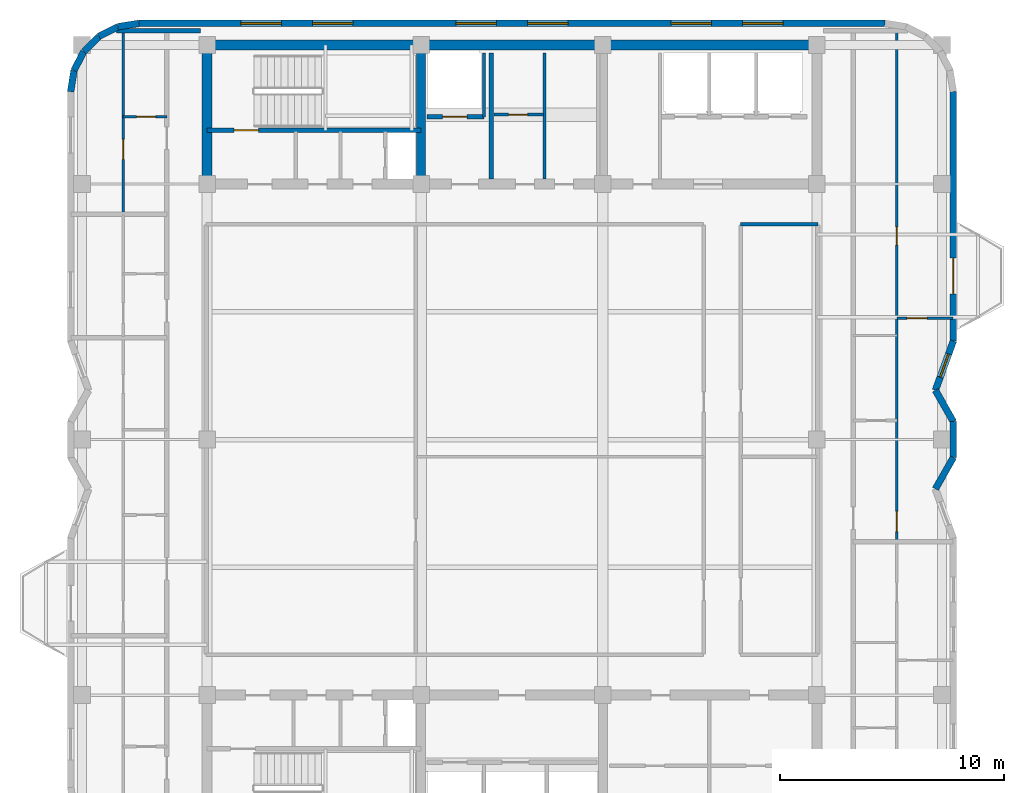
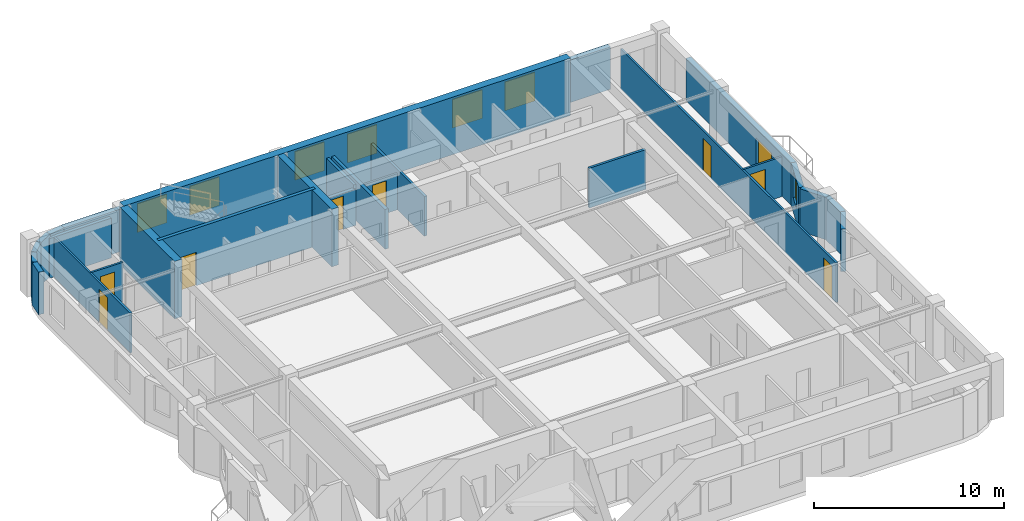
# One storey, part 6 of 9: 26 walls, 9 doors, 7 windows, 16 openings.
"""IFC4 building model written with IfcOpenShell, lengths in metres."""

from ifc_helpers import new_model, si_unit, direction, frame, frame_2d, origin, place, context, subcontext, project, spatial, rectangle, extrude, material, layer, layer_set, type_object, element, fill, save


model = new_model("IFC4")

# Units and contexts
model_context = context("Model", 3, precision=1e-05, world=origin(), true_north=direction((0.0, 1.0)))
body_context = subcontext(model_context, "Body", "Model", "MODEL_VIEW")
ifc_project = project(units=[si_unit("LENGTHUNIT", "METRE"), si_unit("AREAUNIT", "SQUARE_METRE"), si_unit("VOLUMEUNIT", "CUBIC_METRE"), si_unit("PLANEANGLEUNIT", "RADIAN"), si_unit("MASSUNIT", "GRAM", prefix="KILO")], contexts=[model_context])

# Site, building, storey
site_placement = place(None, origin())
site = spatial("IfcSite", under=ifc_project, at=site_placement, CompositionType="ELEMENT")
building_placement = place(site_placement, origin())
building = spatial("IfcBuilding", under=site, at=building_placement, Name="Svetorya Sky Lyceum", CompositionType="ELEMENT")
storey_placement = place(building_placement, frame((0.0, 0.0, 267.60009765625)))
storey = spatial("IfcBuildingStorey", under=building, at=storey_placement, Name="L67", CompositionType="ELEMENT", Elevation=267.60009765625)

# Walls
ifc_material_1 = material(Name="Concrete C40/50", Category="concrete")
ifc_layer_1 = layer(ifc_material_1, 0.39990234375)
ifc_layer_set_1 = layer_set([ifc_layer_1], Name="Concrete C40/50")
wall_type_1 = type_object("IfcWallType", Name="WL-CORE-400", PredefinedType="SHEAR", material=ifc_layer_set_1)
wall_1_placement = place(storey_placement, frame((35.14990234375, 39.824951171875, 0.0), z_axis=(0.0, 0.0, 1.0), x_axis=(0.0, 1.0, 0.0)))
element("IfcWall", 1, at=wall_1_placement, inside=storey, type_object=wall_type_1, Name="L67 NC Internal Shear Web WEB1", PredefinedType="SHEAR", context=body_context, shape_type="SweptSolid", body=[
    extrude(rectangle(XDim=5.75, YDim=0.39990234375, at=frame_2d((2.875, 0.0))), origin(), (0.0, 0.0, 1.0), 3.699951171875),
])
ifc_material_2 = material(Name="Concrete C50/60", Category="concrete")
ifc_layer_2 = layer(ifc_material_2, 0.449951171875)
ifc_layer_set_2 = layer_set([ifc_layer_2], Name="Concrete C50/60")
wall_type_2 = type_object("IfcWallType", Name="WL-CORE-450", PredefinedType="SHEAR", material=ifc_layer_set_2)
wall_2_placement = place(storey_placement, frame((25.60009765625, 45.800048828125, 0.0), z_axis=(0.0, 0.0, 1.0), x_axis=(1.0, 0.0, 0.0)))
element("IfcWall", 2, at=wall_2_placement, inside=storey, type_object=wall_type_2, Name="L67 NC Outer Core Shear Wall", PredefinedType="SHEAR", context=body_context, shape_type="SweptSolid", body=[
    extrude(rectangle(XDim=27.199951171875, YDim=0.449951171875, at=frame_2d((13.60009765625, 0.0))), origin(), (0.0, 0.0, 1.0), 3.699951171875),
])
wall_3_placement = place(storey_placement, frame((25.60009765625, 39.824951171875, 0.0), z_axis=(0.0, 0.0, 1.0), x_axis=(0.0, 1.0, 0.0)))
element("IfcWall", 3, at=wall_3_placement, inside=storey, type_object=wall_type_2, Name="L67 NC West Core Shear Wall", PredefinedType="SHEAR", context=body_context, shape_type="SweptSolid", body=[
    extrude(rectangle(XDim=5.75, YDim=0.449951171875, at=frame_2d((2.875, 0.0))), origin(), (0.0, 0.0, 1.0), 3.699951171875),
])
ifc_material_3 = material(Name="Putilovo limestone rainscreen on autoclaved cellular masonry", Category="masonry")
ifc_layer_3 = layer(ifc_material_3, 0.300048828125)
ifc_layer_set_3 = layer_set([ifc_layer_3], Name="Putilovo limestone rainscreen on autoclaved cellular masonry")
wall_type_3 = type_object("IfcWallType", Name="WL-EXT-300", PredefinedType="SOLIDWALL", material=ifc_layer_set_3)
wall_4_placement = place(storey_placement, frame((58.090087890625, 26.0, 0.0), z_axis=(0.0, 0.0, 1.0), x_axis=(0.496073707015, 0.868280413927, 0.0)))
element("IfcWall", 4, at=wall_4_placement, inside=storey, type_object=wall_type_3, Name="L67 Limestone Exterior Wall 14M", PredefinedType="SOLIDWALL", context=body_context, shape_type="SweptSolid", body=[
    extrude(rectangle(XDim=1.6123046875, YDim=0.300048828125, at=frame_2d((0.80615234375, 0.0))), origin(), (0.0, 0.0, 1.0), 2.72998046875),
])
wall_5_placement = place(storey_placement, frame((58.889892578125, 27.39990234375, 0.0), z_axis=(0.0, 0.0, 1.0), x_axis=(0.0, 1.0, 0.0)))
element("IfcWall", 5, at=wall_5_placement, inside=storey, type_object=wall_type_3, Name="L67 Limestone Exterior Wall 15M", PredefinedType="SOLIDWALL", context=body_context, shape_type="SweptSolid", body=[
    extrude(rectangle(XDim=1.60009765625, YDim=0.300048828125, at=frame_2d((0.800048828125, 0.0))), origin(), (0.0, 0.0, 1.0), 2.72998046875),
])
wall_6_placement = place(storey_placement, frame((58.889892578125, 29.0, 0.0), z_axis=(0.0, 0.0, 1.0), x_axis=(-0.496073707015, 0.868280413927, 0.0)))
element("IfcWall", 6, at=wall_6_placement, inside=storey, type_object=wall_type_3, Name="L67 Limestone Exterior Wall 16M", PredefinedType="SOLIDWALL", context=body_context, shape_type="SweptSolid", body=[
    extrude(rectangle(XDim=1.6123046875, YDim=0.300048828125, at=frame_2d((0.80615234375, 0.0))), origin(), (0.0, 0.0, 1.0), 2.72998046875),
])

# Wall, opening, window
wall_7_placement = place(storey_placement, frame((58.090087890625, 30.39990234375, 0.0), z_axis=(0.0, 0.0, 1.0), x_axis=(0.341642580708, 0.939829956453, 0.0)))
wall_7 = element("IfcWall", 7, at=wall_7_placement, inside=storey, type_object=wall_type_3, Name="L67 Limestone Exterior Wall 17M", PredefinedType="SOLIDWALL", context=body_context, shape_type="SweptSolid", body=[
    extrude(rectangle(XDim=2.341064453125, YDim=0.300048828125, at=frame_2d((1.17041015625, 0.0))), origin(), (0.0, 0.0, 1.0), 2.72998046875),
])
opening_1_placement = place(wall_7_placement, frame((0.62060546875, 0.0, 0.919921875)))
opening_1 = element("IfcOpeningElement", 8, at=opening_1_placement, cuts=wall_7, Name="Opening W-R3", PredefinedType="OPENING", context=body_context, shape_type="SweptSolid", body=[
    extrude(rectangle(XDim=1.10009765625, YDim=1.64990234375, at=frame_2d((0.550048828125, 0.824951171875))), frame((0.0, 0.159912109375, 0.0), z_axis=(0.0, -1.0, 0.0), x_axis=(1.0, 0.0, 0.0)), (0.0, 0.0, 1.0), 0.320068359375),
])
ifc_material_4 = material(Name="Thermally broken aluminium frame with triple low-E glazing", Category="aluminium")
window_type_1 = type_object("IfcWindowType", Name="WN-RES-110", PartitioningType="SINGLE_PANEL", PredefinedType="WINDOW", material=ifc_material_4)
window_1_placement = place(opening_1_placement, origin())
window_1 = element("IfcWindow", 9, at=window_1_placement, inside=storey, type_object=window_type_1, Name="L67 Facade Window W-R3.17M.1", OverallHeight=1.64990234375, OverallWidth=1.10009765625, PartitioningType="SINGLE_PANEL", PredefinedType="WINDOW", context=body_context, shape_type="SweptSolid", body=[
    extrude(rectangle(XDim=1.10009765625, YDim=1.64990234375, at=frame_2d((0.550048828125, 0.824951171875))), frame((0.0, 0.030029296875, 0.0), z_axis=(0.0, -1.0, 0.0), x_axis=(1.0, 0.0, 0.0)), (0.0, 0.0, 1.0), 0.06005859375),
])
fill(opening_1, window_1)

# Wall, opening, door
wall_8_placement = place(storey_placement, frame((58.889892578125, 32.60009765625, 0.0), z_axis=(0.0, 0.0, 1.0), x_axis=(0.0, 1.0, 0.0)))
wall_8 = element("IfcWall", 10, at=wall_8_placement, inside=storey, type_object=wall_type_3, Name="L67 Limestone Exterior Wall 18M", PredefinedType="SOLIDWALL", context=body_context, shape_type="SweptSolid", body=[
    extrude(rectangle(XDim=11.119873046875, YDim=0.300048828125, at=frame_2d((5.56005859375, 0.0))), origin(), (0.0, 0.0, 1.0), 2.72998046875),
])
opening_2_placement = place(wall_8_placement, frame((2.10009765625, 0.0, 0.0)))
opening_2 = element("IfcOpeningElement", 11, at=opening_2_placement, cuts=wall_8, Name="Opening D-BL1", PredefinedType="OPENING", context=body_context, shape_type="SweptSolid", body=[
    extrude(rectangle(XDim=1.60009765625, YDim=2.10009765625, at=frame_2d((0.800048828125, 1.050048828125))), frame((0.0, 0.159912109375, 0.0), z_axis=(0.0, -1.0, 0.0), x_axis=(1.0, 0.0, 0.0)), (0.0, 0.0, 1.0), 0.320068359375),
])
ifc_material_5 = material(Name="Insulated glazed aluminium balcony door", Category="aluminium")
door_type_1 = type_object("IfcDoorType", Name="DR-BAL-1600", OperationType="DOUBLE_DOOR_SINGLE_SWING", PredefinedType="DOOR", material=ifc_material_5)
door_1_placement = place(opening_2_placement, origin())
door_1 = element("IfcDoor", 12, at=door_1_placement, inside=storey, type_object=door_type_1, Name="L67 Balcony BAL-E1 Door", OperationType="DOUBLE_DOOR_SINGLE_SWING", OverallHeight=2.10009765625, OverallWidth=1.60009765625, PredefinedType="DOOR", context=body_context, shape_type="SweptSolid", body=[
    extrude(rectangle(XDim=1.60009765625, YDim=2.10009765625, at=frame_2d((0.800048828125, 1.050048828125))), frame((0.0, 0.02490234375, 0.0), z_axis=(0.0, -1.0, 0.0), x_axis=(1.0, 0.0, 0.0)), (0.0, 0.0, 1.0), 0.050048828125),
])
fill(opening_2, door_1)

# Wall, openings, windows
wall_9_placement = place(storey_placement, frame((55.840087890625, 46.77001953125, 0.0), z_axis=(0.0, 0.0, 1.0), x_axis=(-1.0, 0.0, 0.0)))
wall_9 = element("IfcWall", 13, at=wall_9_placement, inside=storey, type_object=wall_type_3, Name="L67 Limestone Exterior Wall 24M", PredefinedType="SOLIDWALL", context=body_context, shape_type="SweptSolid", body=[
    extrude(rectangle(XDim=33.280029296875, YDim=0.300048828125, at=frame_2d((16.64013671875, 0.0))), origin(), (0.0, 0.0, 1.0), 2.72998046875),
])
opening_3_placement = place(wall_9_placement, frame((4.547119140625, 0.0, 0.760009765625)))
opening_3 = element("IfcOpeningElement", 14, at=opening_3_placement, cuts=wall_9, Name="Opening W-R1", PredefinedType="OPENING", context=body_context, shape_type="SweptSolid", body=[
    extrude(rectangle(XDim=1.800048828125, YDim=1.85009765625, at=frame_2d((0.89990234375, 0.925048828125))), frame((0.0, 0.159912109375, 0.0), z_axis=(0.0, -1.0, 0.0), x_axis=(1.0, 0.0, 0.0)), (0.0, 0.0, 1.0), 0.320068359375),
])
opening_4_placement = place(wall_9_placement, frame((7.7451171875, 0.0, 0.760009765625)))
opening_4 = element("IfcOpeningElement", 15, at=opening_4_placement, cuts=wall_9, Name="Opening W-R1", PredefinedType="OPENING", context=body_context, shape_type="SweptSolid", body=[
    extrude(rectangle(XDim=1.800048828125, YDim=1.85009765625, at=frame_2d((0.89990234375, 0.925048828125))), frame((0.0, 0.159912109375, 0.0), z_axis=(0.0, -1.0, 0.0), x_axis=(1.0, 0.0, 0.0)), (0.0, 0.0, 1.0), 0.320068359375),
])
opening_5_placement = place(wall_9_placement, frame((14.14111328125, 0.0, 0.760009765625)))
opening_5 = element("IfcOpeningElement", 16, at=opening_5_placement, cuts=wall_9, Name="Opening W-R1", PredefinedType="OPENING", context=body_context, shape_type="SweptSolid", body=[
    extrude(rectangle(XDim=1.800048828125, YDim=1.85009765625, at=frame_2d((0.89990234375, 0.925048828125))), frame((0.0, 0.159912109375, 0.0), z_axis=(0.0, -1.0, 0.0), x_axis=(1.0, 0.0, 0.0)), (0.0, 0.0, 1.0), 0.320068359375),
])
opening_6_placement = place(wall_9_placement, frame((17.339111328125, 0.0, 0.760009765625)))
opening_6 = element("IfcOpeningElement", 17, at=opening_6_placement, cuts=wall_9, Name="Opening W-R1", PredefinedType="OPENING", context=body_context, shape_type="SweptSolid", body=[
    extrude(rectangle(XDim=1.800048828125, YDim=1.85009765625, at=frame_2d((0.89990234375, 0.925048828125))), frame((0.0, 0.159912109375, 0.0), z_axis=(0.0, -1.0, 0.0), x_axis=(1.0, 0.0, 0.0)), (0.0, 0.0, 1.0), 0.320068359375),
])
opening_7_placement = place(wall_9_placement, frame((23.735107421875, 0.0, 0.760009765625)))
opening_7 = element("IfcOpeningElement", 18, at=opening_7_placement, cuts=wall_9, Name="Opening W-R1", PredefinedType="OPENING", context=body_context, shape_type="SweptSolid", body=[
    extrude(rectangle(XDim=1.800048828125, YDim=1.85009765625, at=frame_2d((0.89990234375, 0.925048828125))), frame((0.0, 0.159912109375, 0.0), z_axis=(0.0, -1.0, 0.0), x_axis=(1.0, 0.0, 0.0)), (0.0, 0.0, 1.0), 0.320068359375),
])
opening_8_placement = place(wall_9_placement, frame((26.93310546875, 0.0, 0.760009765625)))
opening_8 = element("IfcOpeningElement", 19, at=opening_8_placement, cuts=wall_9, Name="Opening W-R1", PredefinedType="OPENING", context=body_context, shape_type="SweptSolid", body=[
    extrude(rectangle(XDim=1.800048828125, YDim=1.85009765625, at=frame_2d((0.89990234375, 0.925048828125))), frame((0.0, 0.159912109375, 0.0), z_axis=(0.0, -1.0, 0.0), x_axis=(1.0, 0.0, 0.0)), (0.0, 0.0, 1.0), 0.320068359375),
])
window_type_2 = type_object("IfcWindowType", Name="WN-RES-180", PartitioningType="DOUBLE_PANEL_VERTICAL", PredefinedType="WINDOW", material=ifc_material_4)
window_2_placement = place(opening_3_placement, origin())
window_2 = element("IfcWindow", 20, at=window_2_placement, inside=storey, type_object=window_type_2, Name="L67 Facade Window W-R1.24M.1", OverallHeight=1.85009765625, OverallWidth=1.800048828125, PartitioningType="SINGLE_PANEL", PredefinedType="WINDOW", context=body_context, shape_type="SweptSolid", body=[
    extrude(rectangle(XDim=1.800048828125, YDim=1.85009765625, at=frame_2d((0.89990234375, 0.925048828125))), frame((0.0, 0.030029296875, 0.0), z_axis=(0.0, -1.0, 0.0), x_axis=(1.0, 0.0, 0.0)), (0.0, 0.0, 1.0), 0.06005859375),
])
fill(opening_3, window_2)
window_3_placement = place(opening_4_placement, origin())
window_3 = element("IfcWindow", 21, at=window_3_placement, inside=storey, type_object=window_type_2, Name="L67 Facade Window W-R1.24M.2", OverallHeight=1.85009765625, OverallWidth=1.800048828125, PartitioningType="SINGLE_PANEL", PredefinedType="WINDOW", context=body_context, shape_type="SweptSolid", body=[
    extrude(rectangle(XDim=1.800048828125, YDim=1.85009765625, at=frame_2d((0.89990234375, 0.925048828125))), frame((0.0, 0.030029296875, 0.0), z_axis=(0.0, -1.0, 0.0), x_axis=(1.0, 0.0, 0.0)), (0.0, 0.0, 1.0), 0.06005859375),
])
fill(opening_4, window_3)
window_4_placement = place(opening_5_placement, origin())
window_4 = element("IfcWindow", 22, at=window_4_placement, inside=storey, type_object=window_type_2, Name="L67 Facade Window W-R1.24M.3", OverallHeight=1.85009765625, OverallWidth=1.800048828125, PartitioningType="SINGLE_PANEL", PredefinedType="WINDOW", context=body_context, shape_type="SweptSolid", body=[
    extrude(rectangle(XDim=1.800048828125, YDim=1.85009765625, at=frame_2d((0.89990234375, 0.925048828125))), frame((0.0, 0.030029296875, 0.0), z_axis=(0.0, -1.0, 0.0), x_axis=(1.0, 0.0, 0.0)), (0.0, 0.0, 1.0), 0.06005859375),
])
fill(opening_5, window_4)
window_5_placement = place(opening_6_placement, origin())
window_5 = element("IfcWindow", 23, at=window_5_placement, inside=storey, type_object=window_type_2, Name="L67 Facade Window W-R1.24M.4", OverallHeight=1.85009765625, OverallWidth=1.800048828125, PartitioningType="SINGLE_PANEL", PredefinedType="WINDOW", context=body_context, shape_type="SweptSolid", body=[
    extrude(rectangle(XDim=1.800048828125, YDim=1.85009765625, at=frame_2d((0.89990234375, 0.925048828125))), frame((0.0, 0.030029296875, 0.0), z_axis=(0.0, -1.0, 0.0), x_axis=(1.0, 0.0, 0.0)), (0.0, 0.0, 1.0), 0.06005859375),
])
fill(opening_6, window_5)
window_6_placement = place(opening_7_placement, origin())
window_6 = element("IfcWindow", 24, at=window_6_placement, inside=storey, type_object=window_type_2, Name="L67 Facade Window W-R1.24M.5", OverallHeight=1.85009765625, OverallWidth=1.800048828125, PartitioningType="SINGLE_PANEL", PredefinedType="WINDOW", context=body_context, shape_type="SweptSolid", body=[
    extrude(rectangle(XDim=1.800048828125, YDim=1.85009765625, at=frame_2d((0.89990234375, 0.925048828125))), frame((0.0, 0.030029296875, 0.0), z_axis=(0.0, -1.0, 0.0), x_axis=(1.0, 0.0, 0.0)), (0.0, 0.0, 1.0), 0.06005859375),
])
fill(opening_7, window_6)
window_7_placement = place(opening_8_placement, origin())
window_7 = element("IfcWindow", 25, at=window_7_placement, inside=storey, type_object=window_type_2, Name="L67 Facade Window W-R1.24M.6", OverallHeight=1.85009765625, OverallWidth=1.800048828125, PartitioningType="SINGLE_PANEL", PredefinedType="WINDOW", context=body_context, shape_type="SweptSolid", body=[
    extrude(rectangle(XDim=1.800048828125, YDim=1.85009765625, at=frame_2d((0.89990234375, 0.925048828125))), frame((0.0, 0.030029296875, 0.0), z_axis=(0.0, -1.0, 0.0), x_axis=(1.0, 0.0, 0.0)), (0.0, 0.0, 1.0), 0.06005859375),
])
fill(opening_8, window_7)

# Walls
wall_10_placement = place(storey_placement, frame((22.56005859375, 46.77001953125, 0.0), z_axis=(0.0, 0.0, 1.0), x_axis=(-0.987669453596, -0.156553666304, 0.0)))
element("IfcWall", 26, at=wall_10_placement, inside=storey, type_object=wall_type_3, Name="L67 Limestone Exterior Wall 25M", PredefinedType="SOLIDWALL", context=body_context, shape_type="SweptSolid", body=[
    extrude(rectangle(XDim=0.954345703125, YDim=0.300048828125, at=frame_2d((0.47705078125, 0.0))), origin(), (0.0, 0.0, 1.0), 2.72998046875),
])
wall_11_placement = place(storey_placement, frame((21.617431640625, 46.62060546875, 0.0), z_axis=(0.0, 0.0, 1.0), x_axis=(-0.891023873617, -0.45395644796, 0.0)))
element("IfcWall", 27, at=wall_11_placement, inside=storey, type_object=wall_type_3, Name="L67 Limestone Exterior Wall 26M", PredefinedType="SOLIDWALL", context=body_context, shape_type="SweptSolid", body=[
    extrude(rectangle(XDim=0.9541015625, YDim=0.300048828125, at=frame_2d((0.47705078125, 0.0))), origin(), (0.0, 0.0, 1.0), 2.72998046875),
])
wall_12_placement = place(storey_placement, frame((20.767333984375, 46.1875, 0.0), z_axis=(0.0, 0.0, 1.0), x_axis=(-0.707106781187, -0.707106781187, 0.0)))
element("IfcWall", 28, at=wall_12_placement, inside=storey, type_object=wall_type_3, Name="L67 Limestone Exterior Wall 27M", PredefinedType="SOLIDWALL", context=body_context, shape_type="SweptSolid", body=[
    extrude(rectangle(XDim=0.954345703125, YDim=0.300048828125, at=frame_2d((0.47705078125, 0.0))), origin(), (0.0, 0.0, 1.0), 2.72998046875),
])
wall_13_placement = place(storey_placement, frame((20.092529296875, 45.5126953125, 0.0), z_axis=(0.0, 0.0, 1.0), x_axis=(-0.454159573051, -0.890920356825, 0.0)))
element("IfcWall", 29, at=wall_13_placement, inside=storey, type_object=wall_type_3, Name="L67 Limestone Exterior Wall 28M", PredefinedType="SOLIDWALL", context=body_context, shape_type="SweptSolid", body=[
    extrude(rectangle(XDim=0.9541015625, YDim=0.300048828125, at=frame_2d((0.47705078125, 0.0))), origin(), (0.0, 0.0, 1.0), 2.72998046875),
])
wall_14_placement = place(storey_placement, frame((19.6591796875, 44.66259765625, 0.0), z_axis=(0.0, 0.0, 1.0), x_axis=(-0.156304114255, -0.987708977314, 0.0)))
element("IfcWall", 30, at=wall_14_placement, inside=storey, type_object=wall_type_3, Name="L67 Limestone Exterior Wall 29M", PredefinedType="SOLIDWALL", context=body_context, shape_type="SweptSolid", body=[
    extrude(rectangle(XDim=0.954345703125, YDim=0.300048828125, at=frame_2d((0.47705078125, 0.0))), origin(), (0.0, 0.0, 1.0), 2.72998046875),
])

# Wall, opening, door
ifc_material_6 = material(Name="Twin-stud galvanized framing with double fireboard", Category="gypsum")
ifc_layer_4 = layer(ifc_material_6, 0.1201171875)
ifc_layer_set_4 = layer_set([ifc_layer_4], Name="Twin-stud galvanized framing with double fireboard")
wall_type_4 = type_object("IfcWallType", Name="WL-PART-120", PredefinedType="PARTITIONING", material=ifc_layer_set_4)
wall_15_placement = place(storey_placement, frame((38.39990234375, 42.699951171875, 0.0), z_axis=(0.0, 0.0, 1.0), x_axis=(1.0, 0.0, 0.0)))
wall_15 = element("IfcWall", 31, at=wall_15_placement, inside=storey, type_object=wall_type_4, Name="L67 Interior Partition NC-FPM-H", PredefinedType="PARTITIONING", context=body_context, shape_type="SweptSolid", body=[
    extrude(rectangle(XDim=2.2001953125, YDim=0.1201171875, at=frame_2d((1.10009765625, 0.0))), origin(), (0.0, 0.0, 1.0), 2.329833984375),
])
opening_9_placement = place(wall_15_placement, frame((0.64990234375, 0.0, 0.0)))
opening_9 = element("IfcOpeningElement", 32, at=opening_9_placement, cuts=wall_15, Name="Opening D-CWC1", PredefinedType="OPENING", context=body_context, shape_type="SweptSolid", body=[
    extrude(rectangle(XDim=0.85009765625, YDim=2.10009765625, at=frame_2d((0.425048828125, 1.050048828125))), frame((0.0, 0.070068359375, 0.0), z_axis=(0.0, -1.0, 0.0), x_axis=(1.0, 0.0, 0.0)), (0.0, 0.0, 1.0), 0.14013671875),
])
ifc_material_7 = material(Name="Fire-rated galvanized steel core service closet door", Category="steel")
door_type_2 = type_object("IfcDoorType", Name="DR-CWET-850", OperationType="SINGLE_SWING_LEFT", PredefinedType="DOOR", material=ifc_material_7)
door_2_placement = place(opening_9_placement, origin())
door_2 = element("IfcDoor", 33, at=door_2_placement, inside=storey, type_object=door_type_2, Name="L67 Rear IT Closet Door", OperationType="SINGLE_SWING_LEFT", OverallHeight=2.10009765625, OverallWidth=0.85009765625, PredefinedType="DOOR", context=body_context, shape_type="SweptSolid", body=[
    extrude(rectangle(XDim=0.85009765625, YDim=2.10009765625, at=frame_2d((0.425048828125, 1.050048828125))), frame((0.0, 0.02490234375, 0.0), z_axis=(0.0, -1.0, 0.0), x_axis=(1.0, 0.0, 0.0)), (0.0, 0.0, 1.0), 0.050048828125),
])
fill(opening_9, door_2)

wall_16_placement = place(storey_placement, frame((21.85009765625, 42.60009765625, 0.0), z_axis=(0.0, 0.0, 1.0), x_axis=(1.0, 0.0, 0.0)))
wall_16 = element("IfcWall", 34, at=wall_16_placement, inside=storey, type_object=wall_type_4, Name="L67 Interior Partition W4-WH1", PredefinedType="PARTITIONING", context=body_context, shape_type="SweptSolid", body=[
    extrude(rectangle(XDim=1.949951171875, YDim=0.1201171875, at=frame_2d((0.97509765625, 0.0))), origin(), (0.0, 0.0, 1.0), 2.559814453125),
])
opening_10_placement = place(wall_16_placement, frame((0.60009765625, 0.0, 0.0)))
opening_10 = element("IfcOpeningElement", 35, at=opening_10_placement, cuts=wall_16, Name="Opening D-BT1", PredefinedType="OPENING", context=body_context, shape_type="SweptSolid", body=[
    extrude(rectangle(XDim=0.85009765625, YDim=2.10009765625, at=frame_2d((0.425048828125, 1.050048828125))), frame((0.0, 0.070068359375, 0.0), z_axis=(0.0, -1.0, 0.0), x_axis=(1.0, 0.0, 0.0)), (0.0, 0.0, 1.0), 0.14013671875),
])
ifc_material_8 = material(Name="Moisture-resistant laminate bathroom door")
door_type_3 = type_object("IfcDoorType", Name="DR-WET-850", OperationType="SINGLE_SWING_LEFT", PredefinedType="DOOR", material=ifc_material_8)
door_3_placement = place(opening_10_placement, origin())
door_3 = element("IfcDoor", 36, at=door_3_placement, inside=storey, type_object=door_type_3, Name="Apartment W4 Bathroom Door", OperationType="SINGLE_SWING_RIGHT", OverallHeight=2.10009765625, OverallWidth=0.85009765625, PredefinedType="DOOR", context=body_context, shape_type="SweptSolid", body=[
    extrude(rectangle(XDim=0.85009765625, YDim=2.10009765625, at=frame_2d((0.425048828125, 1.050048828125))), frame((0.0, 0.02490234375, 0.0), z_axis=(0.0, -1.0, 0.0), x_axis=(1.0, 0.0, 0.0)), (0.0, 0.0, 1.0), 0.050048828125),
])
fill(opening_10, door_3)

wall_17_placement = place(storey_placement, frame((21.85009765625, 38.2900390625, 0.0), z_axis=(0.0, 0.0, 1.0), x_axis=(0.0, 1.0, 0.0)))
wall_17 = element("IfcWall", 37, at=wall_17_placement, inside=storey, type_object=wall_type_4, Name="L67 Interior Partition W4-WV", PredefinedType="PARTITIONING", context=body_context, shape_type="SweptSolid", body=[
    extrude(rectangle(XDim=8.119873046875, YDim=0.1201171875, at=frame_2d((4.06005859375, 0.0))), origin(), (0.0, 0.0, 1.0), 2.559814453125),
])
opening_11_placement = place(wall_17_placement, frame((2.409912109375, 0.0, 0.0)))
opening_11 = element("IfcOpeningElement", 38, at=opening_11_placement, cuts=wall_17, Name="Opening D-RM1", PredefinedType="OPENING", context=body_context, shape_type="SweptSolid", body=[
    extrude(rectangle(XDim=0.89990234375, YDim=2.10009765625, at=frame_2d((0.449951171875, 1.050048828125))), frame((0.0, 0.070068359375, 0.0), z_axis=(0.0, -1.0, 0.0), x_axis=(1.0, 0.0, 0.0)), (0.0, 0.0, 1.0), 0.14013671875),
])
ifc_material_9 = material(Name="Lacquered birch veneer internal door")
door_type_4 = type_object("IfcDoorType", Name="DR-INT-900", OperationType="SINGLE_SWING_LEFT", PredefinedType="DOOR", material=ifc_material_9)
door_4_placement = place(opening_11_placement, origin())
door_4 = element("IfcDoor", 39, at=door_4_placement, inside=storey, type_object=door_type_4, Name="Apartment W4 Living Door", OperationType="SINGLE_SWING_LEFT", OverallHeight=2.10009765625, OverallWidth=0.89990234375, PredefinedType="DOOR", context=body_context, shape_type="SweptSolid", body=[
    extrude(rectangle(XDim=0.89990234375, YDim=2.10009765625, at=frame_2d((0.449951171875, 1.050048828125))), frame((0.0, 0.02490234375, 0.0), z_axis=(0.0, -1.0, 0.0), x_axis=(1.0, 0.0, 0.0)), (0.0, 0.0, 1.0), 0.050048828125),
])
fill(opening_11, door_4)

wall_18_placement = place(storey_placement, frame((56.3701171875, 33.6201171875, 0.0), z_axis=(0.0, 0.0, 1.0), x_axis=(1.0, 0.0, 0.0)))
wall_18 = element("IfcWall", 40, at=wall_18_placement, inside=storey, type_object=wall_type_4, Name="L67 Interior Partition E2-WL1", PredefinedType="PARTITIONING", context=body_context, shape_type="SweptSolid", body=[
    extrude(rectangle(XDim=2.5, YDim=0.1201171875, at=frame_2d((1.25, 0.0))), origin(), (0.0, 0.0, 1.0), 2.559814453125),
])
opening_12_placement = place(wall_18_placement, frame((0.449951171875, 0.0, 0.0)))
opening_12 = element("IfcOpeningElement", 41, at=opening_12_placement, cuts=wall_18, Name="Opening D-RM1", PredefinedType="OPENING", context=body_context, shape_type="SweptSolid", body=[
    extrude(rectangle(XDim=0.89990234375, YDim=2.10009765625, at=frame_2d((0.449951171875, 1.050048828125))), frame((0.0, 0.070068359375, 0.0), z_axis=(0.0, -1.0, 0.0), x_axis=(1.0, 0.0, 0.0)), (0.0, 0.0, 1.0), 0.14013671875),
])
door_5_placement = place(opening_12_placement, origin())
door_5 = element("IfcDoor", 42, at=door_5_placement, inside=storey, type_object=door_type_4, Name="Apartment E2 Bedroom 1 Door", OperationType="SINGLE_SWING_LEFT", OverallHeight=2.10009765625, OverallWidth=0.89990234375, PredefinedType="DOOR", context=body_context, shape_type="SweptSolid", body=[
    extrude(rectangle(XDim=0.89990234375, YDim=2.10009765625, at=frame_2d((0.449951171875, 1.050048828125))), frame((0.0, 0.02490234375, 0.0), z_axis=(0.0, -1.0, 0.0), x_axis=(1.0, 0.0, 0.0)), (0.0, 0.0, 1.0), 0.050048828125),
])
fill(opening_12, door_5)

# Wall, openings, doors
wall_19_placement = place(storey_placement, frame((56.3701171875, 23.68994140625, 0.0), z_axis=(0.0, 0.0, 1.0), x_axis=(0.0, 1.0, 0.0)))
wall_19 = element("IfcWall", 43, at=wall_19_placement, inside=storey, type_object=wall_type_4, Name="L67 Interior Partition E2-WV", PredefinedType="PARTITIONING", context=body_context, shape_type="SweptSolid", body=[
    extrude(rectangle(XDim=22.719970703125, YDim=0.1201171875, at=frame_2d((11.35986328125, 0.0))), origin(), (0.0, 0.0, 1.0), 2.559814453125),
])
opening_13_placement = place(wall_19_placement, frame((0.409912109375, 0.0, 0.0)))
opening_13 = element("IfcOpeningElement", 44, at=opening_13_placement, cuts=wall_19, Name="Opening D-RM1", PredefinedType="OPENING", context=body_context, shape_type="SweptSolid", body=[
    extrude(rectangle(XDim=0.89990234375, YDim=2.10009765625, at=frame_2d((0.449951171875, 1.050048828125))), frame((0.0, 0.070068359375, 0.0), z_axis=(0.0, -1.0, 0.0), x_axis=(1.0, 0.0, 0.0)), (0.0, 0.0, 1.0), 0.14013671875),
])
opening_14_placement = place(wall_19_placement, frame((13.18505859375, 0.0, 0.0)))
opening_14 = element("IfcOpeningElement", 45, at=opening_14_placement, cuts=wall_19, Name="Opening D-BT2", PredefinedType="OPENING", context=body_context, shape_type="SweptSolid", body=[
    extrude(rectangle(XDim=0.820068359375, YDim=2.080078125, at=frame_2d((0.41015625, 1.0400390625))), frame((0.0, 0.070068359375, 0.0), z_axis=(0.0, -1.0, 0.0), x_axis=(1.0, 0.0, 0.0)), (0.0, 0.0, 1.0), 0.14013671875),
])
door_6_placement = place(opening_13_placement, origin())
door_6 = element("IfcDoor", 46, at=door_6_placement, inside=storey, type_object=door_type_4, Name="Apartment E2 Living Door", OperationType="SINGLE_SWING_RIGHT", OverallHeight=2.10009765625, OverallWidth=0.89990234375, PredefinedType="DOOR", context=body_context, shape_type="SweptSolid", body=[
    extrude(rectangle(XDim=0.89990234375, YDim=2.10009765625, at=frame_2d((0.449951171875, 1.050048828125))), frame((0.0, 0.02490234375, 0.0), z_axis=(0.0, -1.0, 0.0), x_axis=(1.0, 0.0, 0.0)), (0.0, 0.0, 1.0), 0.050048828125),
])
fill(opening_13, door_6)
ifc_material_10 = material(Name="Compact moisture-resistant laminate closet door")
door_type_5 = type_object("IfcDoorType", Name="DR-WET-820", OperationType="SINGLE_SWING_LEFT", PredefinedType="DOOR", material=ifc_material_10)
door_7_placement = place(opening_14_placement, origin())
door_7 = element("IfcDoor", 47, at=door_7_placement, inside=storey, type_object=door_type_5, Name="Apartment E2 Study Door", OperationType="SINGLE_SWING_LEFT", OverallHeight=2.080078125, OverallWidth=0.820068359375, PredefinedType="DOOR", context=body_context, shape_type="SweptSolid", body=[
    extrude(rectangle(XDim=0.820068359375, YDim=2.080078125, at=frame_2d((0.41015625, 1.0400390625))), frame((0.0, 0.02490234375, 0.0), z_axis=(0.0, -1.0, 0.0), x_axis=(1.0, 0.0, 0.0)), (0.0, 0.0, 1.0), 0.050048828125),
])
fill(opening_14, door_7)

# Walls
ifc_material_11 = material(Name="Autoclaved cellular masonry blockwork with acoustic render", Category="masonry")
ifc_layer_5 = layer(ifc_material_11, 0.14990234375)
ifc_layer_set_5 = layer_set([ifc_layer_5], Name="Autoclaved cellular masonry blockwork with acoustic render")
wall_type_5 = type_object("IfcWallType", Name="WL-PART-150", PredefinedType="PARTITIONING", material=ifc_layer_set_5)
wall_20_placement = place(storey_placement, frame((37.949951171875, 42.60009765625, 0.0), z_axis=(0.0, 0.0, 1.0), x_axis=(0.0, 1.0, 0.0)))
element("IfcWall", 48, at=wall_20_placement, inside=storey, type_object=wall_type_5, Name="L67 Interior Partition NC-FL1SIDE", PredefinedType="PARTITIONING", context=body_context, shape_type="SweptSolid", body=[
    extrude(rectangle(XDim=2.849853515625, YDim=0.14990234375, at=frame_2d((1.4248046875, 0.0))), origin(), (0.0, 0.0, 1.0), 2.559814453125),
])
wall_21_placement = place(storey_placement, frame((40.64990234375, 39.820068359375, 0.0), z_axis=(0.0, 0.0, 1.0), x_axis=(0.0, 1.0, 0.0)))
element("IfcWall", 49, at=wall_21_placement, inside=storey, type_object=wall_type_5, Name="L67 Interior Partition NC-FPM-V", PredefinedType="PARTITIONING", context=body_context, shape_type="SweptSolid", body=[
    extrude(rectangle(XDim=5.6298828125, YDim=0.14990234375, at=frame_2d((2.81494140625, 0.0))), origin(), (0.0, 0.0, 1.0), 2.559814453125),
])
wall_22_placement = place(storey_placement, frame((49.39990234375, 37.800048828125, 0.0), z_axis=(0.0, 0.0, 1.0), x_axis=(1.0, 0.0, 0.0)))
element("IfcWall", 50, at=wall_22_placement, inside=storey, type_object=wall_type_5, Name="L67 Interior Partition OFF-CN-E", PredefinedType="PARTITIONING", context=body_context, shape_type="SweptSolid", body=[
    extrude(rectangle(XDim=3.4501953125, YDim=0.14990234375, at=frame_2d((1.72509765625, 0.0))), origin(), (0.0, 0.0, 1.0), 2.559814453125),
])

# Wall, opening, door
ifc_material_12 = material(Name="Autoclaved cellular masonry blockwork with gypsum plaster", Category="masonry")
ifc_layer_6 = layer(ifc_material_12, 0.199951171875)
ifc_layer_set_6 = layer_set([ifc_layer_6], Name="Autoclaved cellular masonry blockwork with gypsum plaster")
wall_type_6 = type_object("IfcWallType", Name="WL-PART-200", PredefinedType="PARTITIONING", material=ifc_layer_set_6)
wall_23_placement = place(storey_placement, frame((37.949951171875, 42.60009765625, 0.0), z_axis=(0.0, 0.0, 1.0), x_axis=(-1.0, 0.0, 0.0)))
wall_23 = element("IfcWall", 51, at=wall_23_placement, inside=storey, type_object=wall_type_6, Name="L67 Interior Partition NC-FL1W", PredefinedType="PARTITIONING", context=body_context, shape_type="SweptSolid", body=[
    extrude(rectangle(XDim=2.550048828125, YDim=0.199951171875, at=frame_2d((1.27490234375, 0.0))), origin(), (0.0, 0.0, 1.0), 2.329833984375),
])
opening_15_placement = place(wall_23_placement, frame((0.75, 0.0, 0.0)))
opening_15 = element("IfcOpeningElement", 52, at=opening_15_placement, cuts=wall_23, Name="Opening LD-FL", PredefinedType="OPENING", context=body_context, shape_type="SweptSolid", body=[
    extrude(rectangle(XDim=1.10009765625, YDim=2.14990234375, at=frame_2d((0.550048828125, 1.074951171875))), frame((0.0, 0.10986328125, 0.0), z_axis=(0.0, -1.0, 0.0), x_axis=(1.0, 0.0, 0.0)), (0.0, 0.0, 1.0), 0.219970703125),
])
ifc_material_13 = material(Name="Fire-rated stainless AISI 304 firefighting lift landing door")
door_type_6 = type_object("IfcDoorType", Name="DR-LIFT-1100", OperationType="SLIDING_TO_LEFT", PredefinedType="DOOR", material=ifc_material_13)
door_8_placement = place(opening_15_placement, origin())
door_8 = element("IfcDoor", 53, at=door_8_placement, inside=storey, type_object=door_type_6, Name="L67 Firefighting Lift FL1 Landing Door", OperationType="SLIDING_TO_LEFT", OverallHeight=2.14990234375, OverallWidth=1.10009765625, PredefinedType="DOOR", context=body_context, shape_type="SweptSolid", body=[
    extrude(rectangle(XDim=1.10009765625, YDim=2.14990234375, at=frame_2d((0.550048828125, 1.074951171875))), frame((0.0, 0.02490234375, 0.0), z_axis=(0.0, -1.0, 0.0), x_axis=(1.0, 0.0, 0.0)), (0.0, 0.0, 1.0), 0.050048828125),
])
fill(opening_15, door_8)

# Walls
wall_24_placement = place(storey_placement, frame((38.280029296875, 39.820068359375, 0.0), z_axis=(0.0, 0.0, 1.0), x_axis=(0.0, 1.0, 0.0)))
element("IfcWall", 54, at=wall_24_placement, inside=storey, type_object=wall_type_6, Name="L67 Interior Partition NC-FFLDIV", PredefinedType="PARTITIONING", context=body_context, shape_type="SweptSolid", body=[
    extrude(rectangle(XDim=5.6298828125, YDim=0.199951171875, at=frame_2d((2.81494140625, 0.0))), origin(), (0.0, 0.0, 1.0), 2.559814453125),
])
wall_25_placement = place(storey_placement, frame((21.5458984375, 46.449951171875, 0.0), z_axis=(0.0, 0.0, 1.0), x_axis=(1.0, 0.0, 0.0)))
element("IfcWall", 55, at=wall_25_placement, inside=storey, type_object=wall_type_6, Name="L67 Interior Partition W-CAP-N", PredefinedType="PARTITIONING", context=body_context, shape_type="SweptSolid", body=[
    extrude(rectangle(XDim=3.754150390625, YDim=0.199951171875, at=frame_2d((1.876953125, 0.0))), origin(), (0.0, 0.0, 1.0), 2.559814453125),
])

# Wall, opening, door
ifc_layer_7 = layer(ifc_material_2, 0.199951171875)
ifc_layer_set_7 = layer_set([ifc_layer_7], Name="Concrete C50/60")
wall_type_7 = type_object("IfcWallType", Name="WL-SHW-200", PredefinedType="SHEAR", material=ifc_layer_set_7)
wall_26_placement = place(storey_placement, frame((35.14990234375, 42.0, 0.0), z_axis=(0.0, 0.0, 1.0), x_axis=(-1.0, 0.0, 0.0)))
wall_26 = element("IfcWall", 56, at=wall_26_placement, inside=storey, type_object=wall_type_7, Name="L67 Structural Stair Shaft Wall NC-STW", PredefinedType="SHEAR", context=body_context, shape_type="SweptSolid", body=[
    extrude(rectangle(XDim=9.5498046875, YDim=0.199951171875, at=frame_2d((4.77490234375, 0.0))), origin(), (0.0, 0.0, 1.0), 3.699951171875),
])
opening_16_placement = place(wall_26_placement, frame((7.25, 0.0, 0.0)))
opening_16 = element("IfcOpeningElement", 57, at=opening_16_placement, cuts=wall_26, Name="Opening D-ST1", PredefinedType="OPENING", context=body_context, shape_type="SweptSolid", body=[
    extrude(rectangle(XDim=1.10009765625, YDim=2.14990234375, at=frame_2d((0.550048828125, 1.074951171875))), frame((0.0, 0.10986328125, 0.0), z_axis=(0.0, -1.0, 0.0), x_axis=(1.0, 0.0, 0.0)), (0.0, 0.0, 1.0), 0.219970703125),
])
ifc_material_14 = material(Name="Powder-coated insulated galvanized stair fire door")
door_type_7 = type_object("IfcDoorType", Name="DR-FIRE-1100", OperationType="SINGLE_SWING_LEFT", PredefinedType="DOOR", material=ifc_material_14)
door_9_placement = place(opening_16_placement, origin())
door_9 = element("IfcDoor", 58, at=door_9_placement, inside=storey, type_object=door_type_7, Name="L67 Stair ST-N Vestibule Fire Door", OperationType="SINGLE_SWING_RIGHT", OverallHeight=2.14990234375, OverallWidth=1.10009765625, PredefinedType="DOOR", context=body_context, shape_type="SweptSolid", body=[
    extrude(rectangle(XDim=1.10009765625, YDim=2.14990234375, at=frame_2d((0.550048828125, 1.074951171875))), frame((0.0, 0.02490234375, 0.0), z_axis=(0.0, -1.0, 0.0), x_axis=(1.0, 0.0, 0.0)), (0.0, 0.0, 1.0), 0.050048828125),
])
fill(opening_16, door_9)

save(model, "model.ifc")
